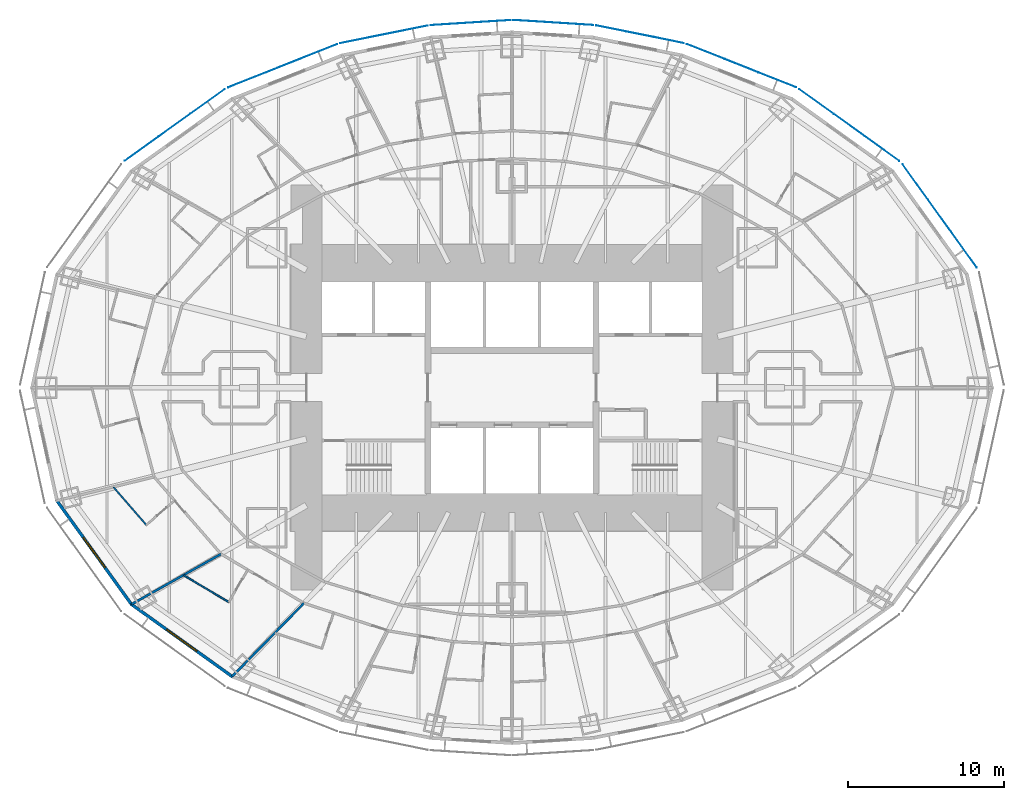
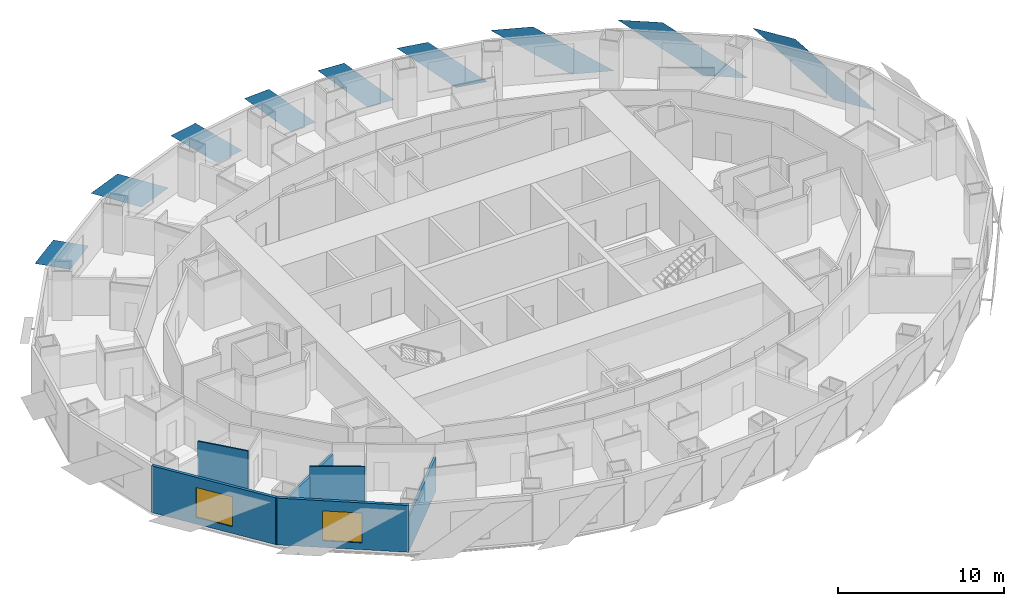
# One storey, part 4 of 15: 9 plates, 6 walls, 2 windows, 2 openings.
"""IFC4 building model written with IfcOpenShell, lengths in metres."""

from ifc_helpers import new_model, si_unit, direction, frame, frame_2d, origin, place, context, subcontext, project, spatial, polyline, rectangle, outline, extrude, material, layer, layer_set, type_object, element, fill, save


model = new_model("IFC4")

# Units and contexts
model_context = context("Model", 3, precision=1e-05, world=origin(), true_north=direction((0.0, 1.0)))
body_context = subcontext(model_context, "Body", "Model", "MODEL_VIEW")
ifc_project = project(units=[si_unit("LENGTHUNIT", "METRE"), si_unit("AREAUNIT", "SQUARE_METRE"), si_unit("VOLUMEUNIT", "CUBIC_METRE"), si_unit("PLANEANGLEUNIT", "RADIAN"), si_unit("MASSUNIT", "GRAM", prefix="KILO")], contexts=[model_context])

# Site, building, storey
site_placement = place(None, origin())
site = spatial("IfcSite", under=ifc_project, at=site_placement, CompositionType="ELEMENT")
building_placement = place(site_placement, origin())
building = spatial("IfcBuilding", under=site, at=building_placement, Name="Lantaw Convention Tower", CompositionType="ELEMENT")
storey_placement = place(building_placement, frame((0.0, 0.0, 58.60009765625)))
storey = spatial("IfcBuildingStorey", under=building, at=storey_placement, Name="L12", CompositionType="ELEMENT", Elevation=58.60009765625)

# Plates
ifc_material_1 = material(Name="Perforated aluminium sheet, pale silver finish", Category="aluminium")
ifc_layer_1 = layer(ifc_material_1, 0.006103515625)
ifc_layer_set_1 = layer_set([ifc_layer_1], Name="Perforated aluminium solar SCREEN panel")
plate_type = type_object("IfcPlateType", Name="Perforated aluminium solar SCREEN panel", PredefinedType="SHEET", material=ifc_layer_set_1)
plate_1_placement = place(storey_placement, frame((29.847900390625, 7.720947265625, -0.175048828125), z_axis=(0.811791382613, 0.583947558463, 9.019268e-06), x_axis=(-0.583947558486, 0.811791382646, 0.0)))
element("IfcPlate", 1, at=plate_1_placement, inside=storey, type_object=plate_type, Name="Solar SCREEN panel", PredefinedType="SHEET", context=body_context, shape_type="SweptSolid", body=[
    extrude(outline(polyline([(0.0, 0.0), (2.809541672291133, 0.0), (8.163093158837512, 3.739990234527119), (5.353551486546379, 3.739990234527119), (0.0, 0.0)])), origin(), (0.0, 0.0, -1.0), 0.006103515625),
])
plate_2_placement = place(storey_placement, frame((24.872314453125, 14.555908203125, -0.175048828125), z_axis=(0.582561421998, 0.812786681331, 1.5819417e-05), x_axis=(-0.812786681433, 0.582561422071, 0.0)))
element("IfcPlate", 2, at=plate_2_placement, inside=storey, type_object=plate_type, Name="Solar SCREEN panel", PredefinedType="SHEET", context=body_context, shape_type="SweptSolid", body=[
    extrude(outline(polyline([(0.0, 0.0), (2.721095180812288, 3.3881317890172014e-21), (7.903118572410756, 3.739990234842974), (5.182023391598468, 3.739990234842974), (0.0, 0.0)])), origin(), (0.0, 0.0, -1.0), 0.006103515625),
])
plate_3_placement = place(storey_placement, frame((18.232177734375, 19.278076171875, -0.175048828125), z_axis=(-0.369183532846, -0.929356508016, 9.163296e-06), x_axis=(-0.929356508055, 0.369183532862, 0.0)))
element("IfcPlate", 3, at=plate_3_placement, inside=storey, type_object=plate_type, Name="Solar SCREEN panel", PredefinedType="SHEET", context=body_context, shape_type="SweptSolid", body=[
    extrude(outline(polyline([(0.0, 0.0), (2.594936467166582, -1.6940658945086007e-21), (7.5321069917580825, -3.739990234532016), (4.937170524591499, -3.739990234532016), (0.0, 0.0)])), origin(), (0.0, 0.0, -1.0), 0.006103515625),
])
plate_4_placement = place(storey_placement, frame((11.03271484375, 22.117919921875, -0.175048828125), z_axis=(-0.197781876197, -0.980246055561, 2.418535e-06), x_axis=(-0.980246055563, 0.197781876198, 1.46e-10)))
element("IfcPlate", 4, at=plate_4_placement, inside=storey, type_object=plate_type, Name="Solar SCREEN panel", PredefinedType="SHEET", context=body_context, shape_type="SweptSolid", body=[
    extrude(outline(polyline([(0.0, 0.0), (1.9867801772236329, -3.1763735522036263e-22), (5.743587245978565, -3.7399902335493134), (3.7568553553458006, -3.739990234128105), (0.0, 0.0)])), origin(), (0.0, 0.0, -1.0), 0.006103515625),
])
plate_5_placement = place(storey_placement, frame((5.221923828125, 23.27783203125, -0.175048828125), z_axis=(-0.062923905251, -0.998018327468, 1.3605496e-05), x_axis=(-0.998018327561, 0.062923905257, 9.3e-10)))
element("IfcPlate", 5, at=plate_5_placement, inside=storey, type_object=plate_type, Name="Solar SCREEN panel", PredefinedType="SHEET", context=body_context, shape_type="SweptSolid", body=[
    extrude(outline(polyline([(0.0, 0.0), (1.7828375409377817, -2.117582368135751e-22), (5.143985963027618, -3.739990229938699), (3.3611637843713935, -3.7399902332537565), (0.0, 0.0)])), origin(), (0.0, 0.0, -1.0), 0.006103515625),
])
plate_6_placement = place(storey_placement, frame((-0.088134765625, 23.6015625, -0.175048828125), z_axis=(-0.062923905251, 0.998018327468, 1.3605496e-05), x_axis=(-0.998018327561, -0.062923905257, -9.3e-10)))
element("IfcPlate", 6, at=plate_6_placement, inside=storey, type_object=plate_type, Name="Solar SCREEN panel", PredefinedType="SHEET", context=body_context, shape_type="SweptSolid", body=[
    extrude(outline(polyline([(0.0, 0.0), (1.782822178656225, -2.117582368135751e-22), (5.143985956073316, 3.7399902395036517), (3.3611484151355353, 3.7399902361885653), (0.0, 0.0)])), origin(), (0.0, 0.0, -1.0), 0.006103515625),
])
plate_7_placement = place(storey_placement, frame((-5.402587890625, 23.25390625, -0.175048828125), z_axis=(-0.197781876197, 0.980246055561, 2.418535e-06), x_axis=(-0.980246055563, -0.197781876198, -1.46e-10)))
element("IfcPlate", 7, at=plate_7_placement, inside=storey, type_object=plate_type, Name="Solar SCREEN panel", PredefinedType="SHEET", context=body_context, shape_type="SweptSolid", body=[
    extrude(outline(polyline([(0.0, 0.0), (1.9867318906327642, 1.0587911840678754e-22), (5.743587244888999, 3.7399902352225842), (3.7568070676653664, 3.7399902346437783), (0.0, 0.0)])), origin(), (0.0, 0.0, -1.0), 0.006103515625),
])
plate_8_placement = place(storey_placement, frame((-11.232177734375, 22.058837890625, -0.175048828125), z_axis=(-0.369183532846, 0.929356508016, 9.163296e-06), x_axis=(-0.929356508055, -0.369183532862, 0.0)))
element("IfcPlate", 8, at=plate_8_placement, inside=storey, type_object=plate_type, Name="Solar SCREEN panel", PredefinedType="SHEET", context=body_context, shape_type="SweptSolid", body=[
    extrude(outline(polyline([(0.0, 0.0), (2.594936467166582, 1.6940658945086007e-21), (7.5321069917580825, 3.739990234532016), (4.937170524591499, 3.739990234532016), (0.0, 0.0)])), origin(), (0.0, 0.0, -1.0), 0.006103515625),
])
plate_9_placement = place(storey_placement, frame((-18.44873046875, 19.159912109375, -0.175048828125), z_axis=(0.582561421998, -0.812786681331, 1.5819417e-05), x_axis=(-0.812786681433, -0.582561422071, 0.0)))
element("IfcPlate", 9, at=plate_9_placement, inside=storey, type_object=plate_type, Name="Solar SCREEN panel", PredefinedType="SHEET", context=body_context, shape_type="SweptSolid", body=[
    extrude(outline(polyline([(0.0, 0.0), (2.721095180812288, -3.3881317890172014e-21), (7.903118572410756, -3.739990234842974), (5.182023391598468, -3.739990234842974), (0.0, 0.0)])), origin(), (0.0, 0.0, -1.0), 0.006103515625),
])

# Walls
ifc_material_2 = material(Name="Moisture resistant gypsum board on steel studs", Category="steel")
ifc_layer_2 = layer(ifc_material_2, 0.10009765625)
ifc_layer_set_2 = layer_set([ifc_layer_2], Name="Bathroom wall 100")
wall_type_1 = type_object("IfcWallType", Name="Bathroom wall 100", PredefinedType="PARTITIONING", material=ifc_layer_set_2)
wall_1_placement = place(storey_placement, frame((-23.47705078125, -8.812255859375, 0.0), z_axis=(0.0, 0.0, 1.0), x_axis=(-0.655596826012, 0.755111118792, 0.0)))
element("IfcWall", 10, at=wall_1_placement, inside=storey, type_object=wall_type_1, Name="Bathroom wall 100", PredefinedType="PARTITIONING", context=body_context, shape_type="SweptSolid", body=[
    extrude(rectangle(XDim=3.22119140625, YDim=0.10009765625, at=frame_2d((1.610595703125, 0.0))), origin(), (0.0, 0.0, 1.0), 3.449951171875),
])
wall_2_placement = place(storey_placement, frame((-18.185302734375, -13.759521484375, 0.0), z_axis=(0.0, 0.0, 1.0), x_axis=(-0.860146437071, 0.510047161343, 0.0)))
element("IfcWall", 11, at=wall_2_placement, inside=storey, type_object=wall_type_1, Name="Bathroom wall 100", PredefinedType="PARTITIONING", context=body_context, shape_type="SweptSolid", body=[
    extrude(rectangle(XDim=3.362548828125, YDim=0.10009765625, at=frame_2d((1.68115234375, 0.0))), origin(), (0.0, 0.0, 1.0), 3.449951171875),
])

# Wall, opening, window
ifc_material_3 = material(Name="Insulated aluminium panel on steel frame", Category="steel")
ifc_layer_3 = layer(ifc_material_3, 0.199951171875)
ifc_layer_set_3 = layer_set([ifc_layer_3], Name="External wall 200")
wall_type_2 = type_object("IfcWallType", Name="External wall 200", PredefinedType="SOLIDWALL", material=ifc_layer_set_3)
wall_3_placement = place(storey_placement, frame((-29.260498046875, -7.199951171875, 0.0), z_axis=(0.0, 0.0, 1.0), x_axis=(0.583937613703, -0.811798536155, 0.0)))
wall_3 = element("IfcWall", 12, at=wall_3_placement, inside=storey, type_object=wall_type_2, Name="Facade panel wall", PredefinedType="SOLIDWALL", context=body_context, shape_type="SweptSolid", body=[
    extrude(rectangle(XDim=8.322998046875, YDim=0.199951171875, at=frame_2d((4.16162109375, 0.0))), origin(), (0.0, 0.0, 1.0), 3.449951171875),
])
opening_1_placement = place(wall_3_placement, frame((2.96142578125, 0.0, 0.5)))
opening_1 = element("IfcOpeningElement", 13, at=opening_1_placement, cuts=wall_3, Name="Opening W1", PredefinedType="OPENING", context=body_context, shape_type="SweptSolid", body=[
    extrude(rectangle(XDim=2.39990234375, YDim=2.199951171875, at=frame_2d((1.199951171875, 1.10009765625))), frame((0.0, 0.10986328125, 0.0), z_axis=(0.0, -1.0, 0.0), x_axis=(1.0, 0.0, 0.0)), (0.0, 0.0, 1.0), 0.219970703125),
])
ifc_material_4 = material(Name="Aluminium frame, clear insulating glass", Category="aluminium")
window_type = type_object("IfcWindowType", Name="Guest room window 2400x2200", PartitioningType="SINGLE_PANEL", PredefinedType="WINDOW", material=ifc_material_4)
window_1_placement = place(opening_1_placement, origin())
window_1 = element("IfcWindow", 14, at=window_1_placement, inside=storey, type_object=window_type, Name="Guest room window", OverallHeight=2.199951171875, OverallWidth=2.39990234375, PartitioningType="SINGLE_PANEL", PredefinedType="WINDOW", context=body_context, shape_type="SweptSolid", body=[
    extrude(rectangle(XDim=2.39990234375, YDim=2.199951171875, at=frame_2d((1.199951171875, 1.10009765625))), frame((0.0, 0.030029296875, 0.0), z_axis=(0.0, -1.0, 0.0), x_axis=(1.0, 0.0, 0.0)), (0.0, 0.0, 1.0), 0.06005859375),
])
fill(opening_1, window_1)

wall_4_placement = place(storey_placement, frame((-24.482421875, -13.87451171875, 0.0), z_axis=(0.0, 0.0, 1.0), x_axis=(0.812791321576, -0.582554948112, 0.0)))
wall_4 = element("IfcWall", 15, at=wall_4_placement, inside=storey, type_object=wall_type_2, Name="Facade panel wall", PredefinedType="SOLIDWALL", context=body_context, shape_type="SweptSolid", body=[
    extrude(rectangle(XDim=8.063232421875, YDim=0.199951171875, at=frame_2d((4.03173828125, 0.0))), origin(), (0.0, 0.0, 1.0), 3.449951171875),
])
opening_2_placement = place(wall_4_placement, frame((2.83154296875, 0.0, 0.5)))
opening_2 = element("IfcOpeningElement", 16, at=opening_2_placement, cuts=wall_4, Name="Opening W1", PredefinedType="OPENING", context=body_context, shape_type="SweptSolid", body=[
    extrude(rectangle(XDim=2.39990234375, YDim=2.199951171875, at=frame_2d((1.199951171875, 1.10009765625))), frame((0.0, 0.10986328125, 0.0), z_axis=(0.0, -1.0, 0.0), x_axis=(1.0, 0.0, 0.0)), (0.0, 0.0, 1.0), 0.219970703125),
])
window_2_placement = place(opening_2_placement, origin())
window_2 = element("IfcWindow", 17, at=window_2_placement, inside=storey, type_object=window_type, Name="Guest room window", OverallHeight=2.199951171875, OverallWidth=2.39990234375, PartitioningType="SINGLE_PANEL", PredefinedType="WINDOW", context=body_context, shape_type="SweptSolid", body=[
    extrude(rectangle(XDim=2.39990234375, YDim=2.199951171875, at=frame_2d((1.199951171875, 1.10009765625))), frame((0.0, 0.030029296875, 0.0), z_axis=(0.0, -1.0, 0.0), x_axis=(1.0, 0.0, 0.0)), (0.0, 0.0, 1.0), 0.06005859375),
])
fill(opening_2, window_2)

# Walls
ifc_material_5 = material(Name="Gypsum board on steel studs, acoustic", Category="steel")
ifc_layer_4 = layer(ifc_material_5, 0.14990234375)
ifc_layer_set_4 = layer_set([ifc_layer_4], Name="Guest room party wall 150")
wall_type_3 = type_object("IfcWallType", Name="Guest room party wall 150", PredefinedType="PARTITIONING", material=ifc_layer_set_4)
wall_5_placement = place(storey_placement, frame((-24.434814453125, -13.90869140625, 0.0), z_axis=(0.0, 0.0, 1.0), x_axis=(0.871747379892, 0.489955616001, 0.0)))
element("IfcWall", 18, at=wall_5_placement, inside=storey, type_object=wall_type_3, Name="Guest room party wall 150", PredefinedType="PARTITIONING", context=body_context, shape_type="SweptSolid", body=[
    extrude(rectangle(XDim=6.599853515625, YDim=0.14990234375, at=frame_2d((3.2998046875, 0.0))), origin(), (0.0, 0.0, 1.0), 2.69287109375),
])
wall_6_placement = place(storey_placement, frame((-17.970458984375, -18.541748046875, 0.0), z_axis=(0.0, 0.0, 1.0), x_axis=(0.699736251994, 0.714401272147, 0.0)))
element("IfcWall", 19, at=wall_6_placement, inside=storey, type_object=wall_type_3, Name="Guest room party wall 150", PredefinedType="PARTITIONING", context=body_context, shape_type="SweptSolid", body=[
    extrude(rectangle(XDim=6.592529296875, YDim=0.14990234375, at=frame_2d((3.29638671875, 0.0))), origin(), (0.0, 0.0, 1.0), 2.52783203125),
])

save(model, "model.ifc")
